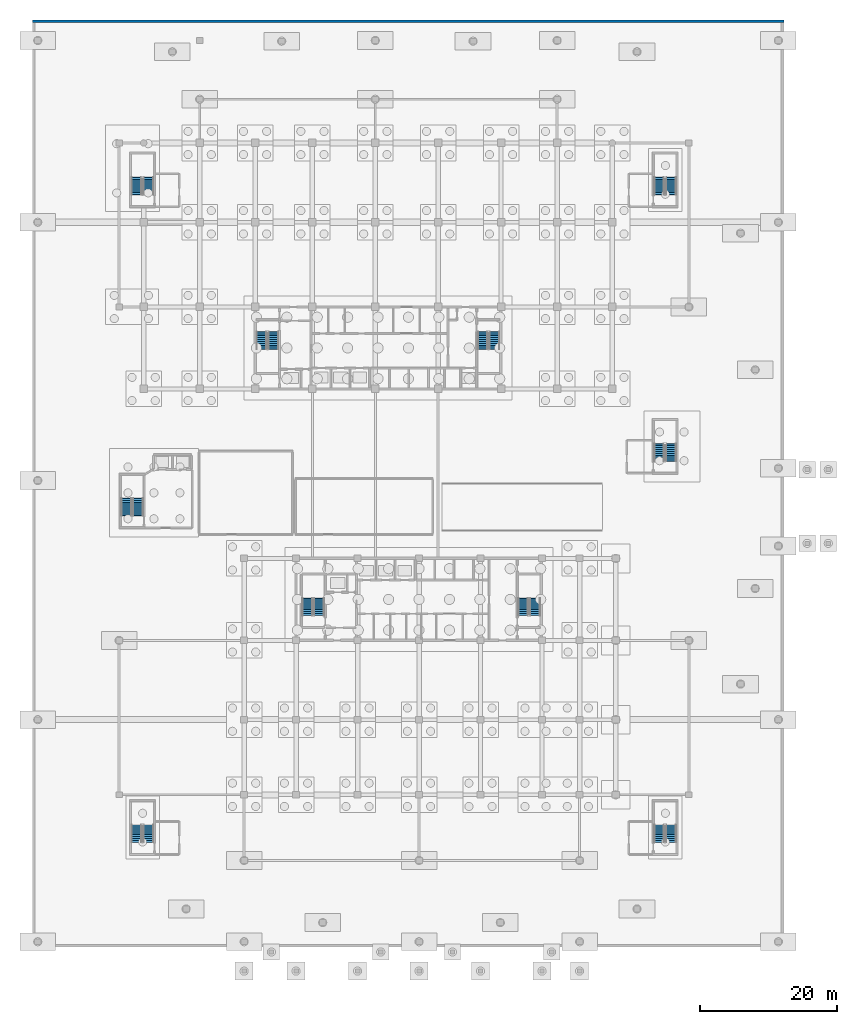
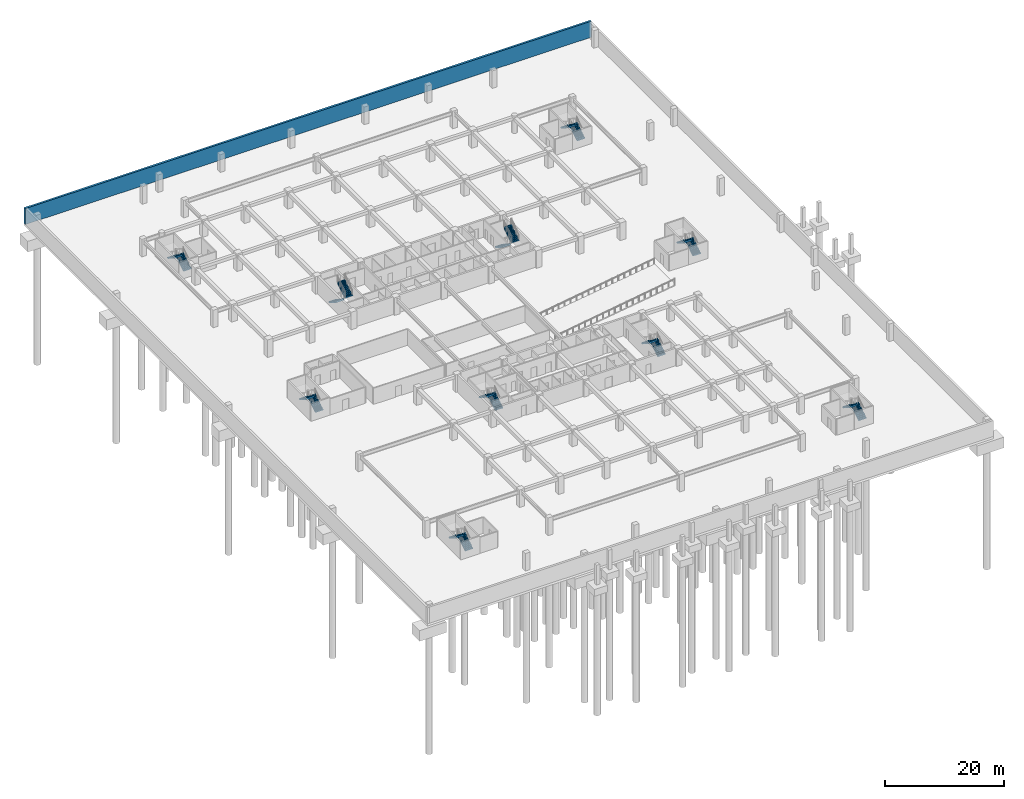
# One storey, part 18 of 26: 20 stair flights, 1 wall, 10 elements without a shape of their own.
"""IFC4 building model written with IfcOpenShell, lengths in metres."""

from ifc_helpers import new_model, si_unit, direction, frame, frame_2d, origin, place, context, subcontext, project, spatial, polyline, rectangle, outline, extrude, material, layer, layer_set, type_object, element, aggregate, save


model = new_model("IFC4")

# Units and contexts
model_context = context("Model", 3, precision=1e-05, world=origin(), true_north=direction((0.0, 1.0)))
body_context = subcontext(model_context, "Body", "Model", "MODEL_VIEW")
ifc_project = project(units=[si_unit("LENGTHUNIT", "METRE"), si_unit("AREAUNIT", "SQUARE_METRE"), si_unit("VOLUMEUNIT", "CUBIC_METRE"), si_unit("PLANEANGLEUNIT", "RADIAN"), si_unit("MASSUNIT", "GRAM", prefix="KILO")], contexts=[model_context])

# Site, building, storey
site_placement = place(None, origin())
site = spatial("IfcSite", under=ifc_project, at=site_placement, CompositionType="ELEMENT")
building_placement = place(site_placement, origin())
building = spatial("IfcBuilding", under=site, at=building_placement, Name="Korimba Cascade Residences", CompositionType="ELEMENT")
storey_placement = place(building_placement, frame((0.0, 0.0, -10.800048828125)))
storey = spatial("IfcBuildingStorey", under=building, at=storey_placement, Name="B03", CompositionType="ELEMENT", Elevation=-10.800048828125)

# Wall
ifc_material = material(Name="Concrete C50/60", Category="concrete")
ifc_layer = layer(ifc_material, 0.39990234375)
ifc_layer_set = layer_set([ifc_layer], Name="Concrete C50/60")
wall_type = type_object("IfcWallType", Name="EW-RET-400", PredefinedType="USERDEFINED", material=ifc_layer_set)
wall_placement = place(storey_placement, frame((153.5, 109.0, 0.0), z_axis=(0.0, 0.0, 1.0), x_axis=(-1.0, 0.0, 0.0)))
element("IfcWall", 1, at=wall_placement, inside=storey, type_object=wall_type, Name="B03 Basement Retaining Wall N", ObjectType="RETAININGWALL", PredefinedType="USERDEFINED", context=body_context, shape_type="SweptSolid", body=[
    extrude(rectangle(XDim=110.0, YDim=0.39990234375, at=frame_2d((55.0, 0.0))), origin(), (0.0, 0.0, 1.0), 3.300048828125),
])

# Stair, stair flights
stair_type_1 = type_object("IfcStairType", Name="STR-W1-20R-1800", PredefinedType="HALF_TURN_STAIR", material=ifc_material)
stair_1_placement = place(storey_placement, origin())
stair_1 = element("IfcStair", 2, at=stair_1_placement, inside=storey, type_object=stair_type_1, Name="B03 Tower 1 West Fire Stair ST-W1", PredefinedType="HALF_TURN_STAIR")
stair_flight_type = type_object("IfcStairFlightType", Name="STF-DL-20R-1800-1520", PredefinedType="STRAIGHT", material=ifc_material)
stair_flight_1_placement = place(storey_placement, frame((77.06005859375, 63.550048828125, 0.0), z_axis=(0.0, 0.0, 1.0), x_axis=(0.0, -1.0, 0.0)))
stair_flight_1 = element("IfcStairFlight", 3, at=stair_flight_1_placement, type_object=stair_flight_type, Name="ST-W1 flight 1", NumberOfRisers=10, NumberOfTreads=9, PredefinedType="STRAIGHT", RiserHeight=0.18, TreadLength=0.28, context=body_context, shape_type="SweptSolid", body=[
    extrude(outline(polyline([(-0.0380859375, 0.0), (0.0, 0.179931640625), (0.280029296875, 0.179931640625), (0.280029296875, 0.360107421875), (0.56005859375, 0.360107421875), (0.56005859375, 0.5400390625), (0.840087890625, 0.5400390625), (0.840087890625, 0.719970703125), (1.1201171875, 0.719970703125), (1.1201171875, 0.89990234375), (1.39990234375, 0.89990234375), (1.39990234375, 1.080078125), (1.679931640625, 1.080078125), (1.679931640625, 1.260009765625), (1.9599609375, 1.260009765625), (1.9599609375, 1.43994140625), (2.239990234375, 1.43994140625), (2.239990234375, 1.6201171875), (2.52001953125, 1.6201171875), (2.52001953125, 1.800048828125), (2.55810546875, 1.800048828125), (2.55810546875, 1.44189453125), (0.277099609375, 0.0), (0.277099609375, -0.0380859375), (-0.0380859375, -0.0380859375), (-0.0380859375, 0.0)])), frame((0.0, 0.760009765625, 0.0), z_axis=(0.0, -1.0, 0.0), x_axis=(1.0, 0.0, 0.0)), (0.0, 0.0, 1.0), 1.52001953125),
])
stair_flight_2_placement = place(storey_placement, frame((78.780029296875, 61.030029296875, 1.800048828125), z_axis=(0.0, 0.0, 1.0), x_axis=(0.0, 1.0, 0.0)))
stair_flight_2 = element("IfcStairFlight", 4, at=stair_flight_2_placement, type_object=stair_flight_type, Name="ST-W1 flight 2", NumberOfRisers=10, NumberOfTreads=9, PredefinedType="STRAIGHT", RiserHeight=0.18, TreadLength=0.28, context=body_context, shape_type="SweptSolid", body=[
    extrude(outline(polyline([(-0.0380859375, 0.0), (0.0, 0.179931640625), (0.280029296875, 0.179931640625), (0.280029296875, 0.360107421875), (0.56005859375, 0.360107421875), (0.56005859375, 0.5400390625), (0.840087890625, 0.5400390625), (0.840087890625, 0.719970703125), (1.1201171875, 0.719970703125), (1.1201171875, 0.89990234375), (1.39990234375, 0.89990234375), (1.39990234375, 1.080078125), (1.679931640625, 1.080078125), (1.679931640625, 1.260009765625), (1.9599609375, 1.260009765625), (1.9599609375, 1.43994140625), (2.239990234375, 1.43994140625), (2.239990234375, 1.6201171875), (2.52001953125, 1.6201171875), (2.52001953125, 1.800048828125), (2.55810546875, 1.800048828125), (2.55810546875, 1.44189453125), (0.277099609375, 0.0), (0.277099609375, -0.0380859375), (-0.0380859375, -0.0380859375), (-0.0380859375, 0.0)])), frame((0.0, 0.760009765625, 0.0), z_axis=(0.0, -1.0, 0.0), x_axis=(1.0, 0.0, 0.0)), (0.0, 0.0, 1.0), 1.52001953125),
])
aggregate(stair_1, [stair_flight_1, stair_flight_2])

stair_type_2 = type_object("IfcStairType", Name="STR-W2-20R-1800", PredefinedType="HALF_TURN_STAIR", material=ifc_material)
stair_2_placement = place(storey_placement, origin())
stair_2 = element("IfcStair", 5, at=stair_2_placement, inside=storey, type_object=stair_type_2, Name="B03 Tower 1 East Fire Stair ST-W2", PredefinedType="HALF_TURN_STAIR")
stair_flight_3_placement = place(storey_placement, frame((109.419921875, 63.550048828125, 0.0), z_axis=(0.0, 0.0, 1.0), x_axis=(0.0, -1.0, 0.0)))
stair_flight_3 = element("IfcStairFlight", 6, at=stair_flight_3_placement, type_object=stair_flight_type, Name="ST-W2 flight 1", NumberOfRisers=10, NumberOfTreads=9, PredefinedType="STRAIGHT", RiserHeight=0.18, TreadLength=0.28, context=body_context, shape_type="SweptSolid", body=[
    extrude(outline(polyline([(-0.0380859375, 0.0), (0.0, 0.179931640625), (0.280029296875, 0.179931640625), (0.280029296875, 0.360107421875), (0.56005859375, 0.360107421875), (0.56005859375, 0.5400390625), (0.840087890625, 0.5400390625), (0.840087890625, 0.719970703125), (1.1201171875, 0.719970703125), (1.1201171875, 0.89990234375), (1.39990234375, 0.89990234375), (1.39990234375, 1.080078125), (1.679931640625, 1.080078125), (1.679931640625, 1.260009765625), (1.9599609375, 1.260009765625), (1.9599609375, 1.43994140625), (2.239990234375, 1.43994140625), (2.239990234375, 1.6201171875), (2.52001953125, 1.6201171875), (2.52001953125, 1.800048828125), (2.55810546875, 1.800048828125), (2.55810546875, 1.44189453125), (0.277099609375, 0.0), (0.277099609375, -0.0380859375), (-0.0380859375, -0.0380859375), (-0.0380859375, 0.0)])), frame((0.0, 0.760009765625, 0.0), z_axis=(0.0, -1.0, 0.0), x_axis=(1.0, 0.0, 0.0)), (0.0, 0.0, 1.0), 1.52001953125),
])
stair_flight_4_placement = place(storey_placement, frame((111.139892578125, 61.030029296875, 1.800048828125), z_axis=(0.0, 0.0, 1.0), x_axis=(0.0, 1.0, 0.0)))
stair_flight_4 = element("IfcStairFlight", 7, at=stair_flight_4_placement, type_object=stair_flight_type, Name="ST-W2 flight 2", NumberOfRisers=10, NumberOfTreads=9, PredefinedType="STRAIGHT", RiserHeight=0.18, TreadLength=0.28, context=body_context, shape_type="SweptSolid", body=[
    extrude(outline(polyline([(-0.0380859375, 0.0), (0.0, 0.179931640625), (0.280029296875, 0.179931640625), (0.280029296875, 0.360107421875), (0.56005859375, 0.360107421875), (0.56005859375, 0.5400390625), (0.840087890625, 0.5400390625), (0.840087890625, 0.719970703125), (1.1201171875, 0.719970703125), (1.1201171875, 0.89990234375), (1.39990234375, 0.89990234375), (1.39990234375, 1.080078125), (1.679931640625, 1.080078125), (1.679931640625, 1.260009765625), (1.9599609375, 1.260009765625), (1.9599609375, 1.43994140625), (2.239990234375, 1.43994140625), (2.239990234375, 1.6201171875), (2.52001953125, 1.6201171875), (2.52001953125, 1.800048828125), (2.55810546875, 1.800048828125), (2.55810546875, 1.44189453125), (0.277099609375, 0.0), (0.277099609375, -0.0380859375), (-0.0380859375, -0.0380859375), (-0.0380859375, 0.0)])), frame((0.0, 0.760009765625, 0.0), z_axis=(0.0, -1.0, 0.0), x_axis=(1.0, 0.0, 0.0)), (0.0, 0.0, 1.0), 1.52001953125),
])
aggregate(stair_2, [stair_flight_3, stair_flight_4])

stair_type_3 = type_object("IfcStairType", Name="STR-E1-20R-1800", PredefinedType="HALF_TURN_STAIR", material=ifc_material)
stair_3_placement = place(storey_placement, origin())
stair_3 = element("IfcStair", 8, at=stair_3_placement, inside=storey, type_object=stair_type_3, Name="B03 Tower 2 West Fire Stair ST-E1", PredefinedType="HALF_TURN_STAIR")
stair_flight_5_placement = place(storey_placement, frame((85.47998046875, 22.050048828125, 0.0), z_axis=(0.0, 0.0, 1.0), x_axis=(0.0, 1.0, 0.0)))
stair_flight_5 = element("IfcStairFlight", 9, at=stair_flight_5_placement, type_object=stair_flight_type, Name="ST-E1 flight 1", NumberOfRisers=10, NumberOfTreads=9, PredefinedType="STRAIGHT", RiserHeight=0.18, TreadLength=0.28, context=body_context, shape_type="SweptSolid", body=[
    extrude(outline(polyline([(-0.0380859375, 0.0), (0.0, 0.179931640625), (0.280029296875, 0.179931640625), (0.280029296875, 0.360107421875), (0.56005859375, 0.360107421875), (0.56005859375, 0.5400390625), (0.840087890625, 0.5400390625), (0.840087890625, 0.719970703125), (1.1201171875, 0.719970703125), (1.1201171875, 0.89990234375), (1.39990234375, 0.89990234375), (1.39990234375, 1.080078125), (1.679931640625, 1.080078125), (1.679931640625, 1.260009765625), (1.9599609375, 1.260009765625), (1.9599609375, 1.43994140625), (2.239990234375, 1.43994140625), (2.239990234375, 1.6201171875), (2.52001953125, 1.6201171875), (2.52001953125, 1.800048828125), (2.55810546875, 1.800048828125), (2.55810546875, 1.44189453125), (0.277099609375, 0.0), (0.277099609375, -0.0380859375), (-0.0380859375, -0.0380859375), (-0.0380859375, 0.0)])), frame((0.0, 0.760009765625, 0.0), z_axis=(0.0, -1.0, 0.0), x_axis=(1.0, 0.0, 0.0)), (0.0, 0.0, 1.0), 1.52001953125),
])
stair_flight_6_placement = place(storey_placement, frame((83.760009765625, 24.570068359375, 1.800048828125), z_axis=(0.0, 0.0, 1.0), x_axis=(0.0, -1.0, 0.0)))
stair_flight_6 = element("IfcStairFlight", 10, at=stair_flight_6_placement, type_object=stair_flight_type, Name="ST-E1 flight 2", NumberOfRisers=10, NumberOfTreads=9, PredefinedType="STRAIGHT", RiserHeight=0.18, TreadLength=0.28, context=body_context, shape_type="SweptSolid", body=[
    extrude(outline(polyline([(-0.0380859375, 0.0), (0.0, 0.179931640625), (0.280029296875, 0.179931640625), (0.280029296875, 0.360107421875), (0.56005859375, 0.360107421875), (0.56005859375, 0.5400390625), (0.840087890625, 0.5400390625), (0.840087890625, 0.719970703125), (1.1201171875, 0.719970703125), (1.1201171875, 0.89990234375), (1.39990234375, 0.89990234375), (1.39990234375, 1.080078125), (1.679931640625, 1.080078125), (1.679931640625, 1.260009765625), (1.9599609375, 1.260009765625), (1.9599609375, 1.43994140625), (2.239990234375, 1.43994140625), (2.239990234375, 1.6201171875), (2.52001953125, 1.6201171875), (2.52001953125, 1.800048828125), (2.55810546875, 1.800048828125), (2.55810546875, 1.44189453125), (0.277099609375, 0.0), (0.277099609375, -0.0380859375), (-0.0380859375, -0.0380859375), (-0.0380859375, 0.0)])), frame((0.0, 0.760009765625, 0.0), z_axis=(0.0, -1.0, 0.0), x_axis=(1.0, 0.0, 0.0)), (0.0, 0.0, 1.0), 1.52001953125),
])
aggregate(stair_3, [stair_flight_5, stair_flight_6])

stair_type_4 = type_object("IfcStairType", Name="STR-E2-20R-1800", PredefinedType="HALF_TURN_STAIR", material=ifc_material)
stair_4_placement = place(storey_placement, origin())
stair_4 = element("IfcStair", 11, at=stair_4_placement, inside=storey, type_object=stair_type_4, Name="B03 Tower 2 East Fire Stair ST-E2", PredefinedType="HALF_TURN_STAIR")
stair_flight_7_placement = place(storey_placement, frame((117.080078125, 22.050048828125, 0.0), z_axis=(0.0, 0.0, 1.0), x_axis=(0.0, 1.0, 0.0)))
stair_flight_7 = element("IfcStairFlight", 12, at=stair_flight_7_placement, type_object=stair_flight_type, Name="ST-E2 flight 1", NumberOfRisers=10, NumberOfTreads=9, PredefinedType="STRAIGHT", RiserHeight=0.18, TreadLength=0.28, context=body_context, shape_type="SweptSolid", body=[
    extrude(outline(polyline([(-0.0380859375, 0.0), (0.0, 0.179931640625), (0.280029296875, 0.179931640625), (0.280029296875, 0.360107421875), (0.56005859375, 0.360107421875), (0.56005859375, 0.5400390625), (0.840087890625, 0.5400390625), (0.840087890625, 0.719970703125), (1.1201171875, 0.719970703125), (1.1201171875, 0.89990234375), (1.39990234375, 0.89990234375), (1.39990234375, 1.080078125), (1.679931640625, 1.080078125), (1.679931640625, 1.260009765625), (1.9599609375, 1.260009765625), (1.9599609375, 1.43994140625), (2.239990234375, 1.43994140625), (2.239990234375, 1.6201171875), (2.52001953125, 1.6201171875), (2.52001953125, 1.800048828125), (2.55810546875, 1.800048828125), (2.55810546875, 1.44189453125), (0.277099609375, 0.0), (0.277099609375, -0.0380859375), (-0.0380859375, -0.0380859375), (-0.0380859375, 0.0)])), frame((0.0, 0.760009765625, 0.0), z_axis=(0.0, -1.0, 0.0), x_axis=(1.0, 0.0, 0.0)), (0.0, 0.0, 1.0), 1.52001953125),
])
stair_flight_8_placement = place(storey_placement, frame((115.360107421875, 24.570068359375, 1.800048828125), z_axis=(0.0, 0.0, 1.0), x_axis=(0.0, -1.0, 0.0)))
stair_flight_8 = element("IfcStairFlight", 13, at=stair_flight_8_placement, type_object=stair_flight_type, Name="ST-E2 flight 2", NumberOfRisers=10, NumberOfTreads=9, PredefinedType="STRAIGHT", RiserHeight=0.18, TreadLength=0.28, context=body_context, shape_type="SweptSolid", body=[
    extrude(outline(polyline([(-0.0380859375, 0.0), (0.0, 0.179931640625), (0.280029296875, 0.179931640625), (0.280029296875, 0.360107421875), (0.56005859375, 0.360107421875), (0.56005859375, 0.5400390625), (0.840087890625, 0.5400390625), (0.840087890625, 0.719970703125), (1.1201171875, 0.719970703125), (1.1201171875, 0.89990234375), (1.39990234375, 0.89990234375), (1.39990234375, 1.080078125), (1.679931640625, 1.080078125), (1.679931640625, 1.260009765625), (1.9599609375, 1.260009765625), (1.9599609375, 1.43994140625), (2.239990234375, 1.43994140625), (2.239990234375, 1.6201171875), (2.52001953125, 1.6201171875), (2.52001953125, 1.800048828125), (2.55810546875, 1.800048828125), (2.55810546875, 1.44189453125), (0.277099609375, 0.0), (0.277099609375, -0.0380859375), (-0.0380859375, -0.0380859375), (-0.0380859375, 0.0)])), frame((0.0, 0.760009765625, 0.0), z_axis=(0.0, -1.0, 0.0), x_axis=(1.0, 0.0, 0.0)), (0.0, 0.0, 1.0), 1.52001953125),
])
aggregate(stair_4, [stair_flight_7, stair_flight_8])

stair_type_5 = type_object("IfcStairType", Name="STR-P1-20R-1800", PredefinedType="HALF_TURN_STAIR", material=ifc_material)
stair_5_placement = place(storey_placement, origin())
stair_5 = element("IfcStair", 14, at=stair_5_placement, inside=storey, type_object=stair_type_5, Name="B03 Podium West Fire Stair ST-P1", PredefinedType="HALF_TURN_STAIR")
stair_flight_9_placement = place(storey_placement, frame((58.97998046875, 36.64990234375, 0.0), z_axis=(0.0, 0.0, 1.0), x_axis=(0.0, 1.0, 0.0)))
stair_flight_9 = element("IfcStairFlight", 15, at=stair_flight_9_placement, type_object=stair_flight_type, Name="ST-P1 flight 1", NumberOfRisers=10, NumberOfTreads=9, PredefinedType="STRAIGHT", RiserHeight=0.18, TreadLength=0.28, context=body_context, shape_type="SweptSolid", body=[
    extrude(outline(polyline([(-0.0380859375, 0.0), (0.0, 0.179931640625), (0.280029296875, 0.179931640625), (0.280029296875, 0.360107421875), (0.56005859375, 0.360107421875), (0.56005859375, 0.5400390625), (0.840087890625, 0.5400390625), (0.840087890625, 0.719970703125), (1.1201171875, 0.719970703125), (1.1201171875, 0.89990234375), (1.39990234375, 0.89990234375), (1.39990234375, 1.080078125), (1.679931640625, 1.080078125), (1.679931640625, 1.260009765625), (1.9599609375, 1.260009765625), (1.9599609375, 1.43994140625), (2.239990234375, 1.43994140625), (2.239990234375, 1.6201171875), (2.52001953125, 1.6201171875), (2.52001953125, 1.800048828125), (2.55810546875, 1.800048828125), (2.55810546875, 1.44189453125), (0.277099609375, 0.0), (0.277099609375, -0.0380859375), (-0.0380859375, -0.0380859375), (-0.0380859375, 0.0)])), frame((0.0, 0.760009765625, 0.0), z_axis=(0.0, -1.0, 0.0), x_axis=(1.0, 0.0, 0.0)), (0.0, 0.0, 1.0), 1.52001953125),
])
stair_flight_10_placement = place(storey_placement, frame((57.260009765625, 39.169921875, 1.800048828125), z_axis=(0.0, 0.0, 1.0), x_axis=(0.0, -1.0, 0.0)))
stair_flight_10 = element("IfcStairFlight", 16, at=stair_flight_10_placement, type_object=stair_flight_type, Name="ST-P1 flight 2", NumberOfRisers=10, NumberOfTreads=9, PredefinedType="STRAIGHT", RiserHeight=0.18, TreadLength=0.28, context=body_context, shape_type="SweptSolid", body=[
    extrude(outline(polyline([(-0.0380859375, 0.0), (0.0, 0.179931640625), (0.280029296875, 0.179931640625), (0.280029296875, 0.360107421875), (0.56005859375, 0.360107421875), (0.56005859375, 0.5400390625), (0.840087890625, 0.5400390625), (0.840087890625, 0.719970703125), (1.1201171875, 0.719970703125), (1.1201171875, 0.89990234375), (1.39990234375, 0.89990234375), (1.39990234375, 1.080078125), (1.679931640625, 1.080078125), (1.679931640625, 1.260009765625), (1.9599609375, 1.260009765625), (1.9599609375, 1.43994140625), (2.239990234375, 1.43994140625), (2.239990234375, 1.6201171875), (2.52001953125, 1.6201171875), (2.52001953125, 1.800048828125), (2.55810546875, 1.800048828125), (2.55810546875, 1.44189453125), (0.277099609375, 0.0), (0.277099609375, -0.0380859375), (-0.0380859375, -0.0380859375), (-0.0380859375, 0.0)])), frame((0.0, 0.760009765625, 0.0), z_axis=(0.0, -1.0, 0.0), x_axis=(1.0, 0.0, 0.0)), (0.0, 0.0, 1.0), 1.52001953125),
])
aggregate(stair_5, [stair_flight_9, stair_flight_10])

stair_type_6 = type_object("IfcStairType", Name="STR-P2-20R-1800", PredefinedType="HALF_TURN_STAIR", material=ifc_material)
stair_6_placement = place(storey_placement, origin())
stair_6 = element("IfcStair", 17, at=stair_6_placement, inside=storey, type_object=stair_type_6, Name="B03 Podium East Fire Stair ST-P2", PredefinedType="HALF_TURN_STAIR")
stair_flight_11_placement = place(storey_placement, frame((136.97998046875, 44.64990234375, 0.0), z_axis=(0.0, 0.0, 1.0), x_axis=(0.0, 1.0, 0.0)))
stair_flight_11 = element("IfcStairFlight", 18, at=stair_flight_11_placement, type_object=stair_flight_type, Name="ST-P2 flight 1", NumberOfRisers=10, NumberOfTreads=9, PredefinedType="STRAIGHT", RiserHeight=0.18, TreadLength=0.28, context=body_context, shape_type="SweptSolid", body=[
    extrude(outline(polyline([(-0.0380859375, 0.0), (0.0, 0.179931640625), (0.280029296875, 0.179931640625), (0.280029296875, 0.360107421875), (0.56005859375, 0.360107421875), (0.56005859375, 0.5400390625), (0.840087890625, 0.5400390625), (0.840087890625, 0.719970703125), (1.1201171875, 0.719970703125), (1.1201171875, 0.89990234375), (1.39990234375, 0.89990234375), (1.39990234375, 1.080078125), (1.679931640625, 1.080078125), (1.679931640625, 1.260009765625), (1.9599609375, 1.260009765625), (1.9599609375, 1.43994140625), (2.239990234375, 1.43994140625), (2.239990234375, 1.6201171875), (2.52001953125, 1.6201171875), (2.52001953125, 1.800048828125), (2.55810546875, 1.800048828125), (2.55810546875, 1.44189453125), (0.277099609375, 0.0), (0.277099609375, -0.0380859375), (-0.0380859375, -0.0380859375), (-0.0380859375, 0.0)])), frame((0.0, 0.760009765625, 0.0), z_axis=(0.0, -1.0, 0.0), x_axis=(1.0, 0.0, 0.0)), (0.0, 0.0, 1.0), 1.52001953125),
])
stair_flight_12_placement = place(storey_placement, frame((135.260009765625, 47.169921875, 1.800048828125), z_axis=(0.0, 0.0, 1.0), x_axis=(0.0, -1.0, 0.0)))
stair_flight_12 = element("IfcStairFlight", 19, at=stair_flight_12_placement, type_object=stair_flight_type, Name="ST-P2 flight 2", NumberOfRisers=10, NumberOfTreads=9, PredefinedType="STRAIGHT", RiserHeight=0.18, TreadLength=0.28, context=body_context, shape_type="SweptSolid", body=[
    extrude(outline(polyline([(-0.0380859375, 0.0), (0.0, 0.179931640625), (0.280029296875, 0.179931640625), (0.280029296875, 0.360107421875), (0.56005859375, 0.360107421875), (0.56005859375, 0.5400390625), (0.840087890625, 0.5400390625), (0.840087890625, 0.719970703125), (1.1201171875, 0.719970703125), (1.1201171875, 0.89990234375), (1.39990234375, 0.89990234375), (1.39990234375, 1.080078125), (1.679931640625, 1.080078125), (1.679931640625, 1.260009765625), (1.9599609375, 1.260009765625), (1.9599609375, 1.43994140625), (2.239990234375, 1.43994140625), (2.239990234375, 1.6201171875), (2.52001953125, 1.6201171875), (2.52001953125, 1.800048828125), (2.55810546875, 1.800048828125), (2.55810546875, 1.44189453125), (0.277099609375, 0.0), (0.277099609375, -0.0380859375), (-0.0380859375, -0.0380859375), (-0.0380859375, 0.0)])), frame((0.0, 0.760009765625, 0.0), z_axis=(0.0, -1.0, 0.0), x_axis=(1.0, 0.0, 0.0)), (0.0, 0.0, 1.0), 1.52001953125),
])
aggregate(stair_6, [stair_flight_11, stair_flight_12])

stair_type_7 = type_object("IfcStairType", Name="STR-P3-20R-1800", PredefinedType="HALF_TURN_STAIR", material=ifc_material)
stair_7_placement = place(storey_placement, origin())
stair_7 = element("IfcStair", 20, at=stair_7_placement, inside=storey, type_object=stair_type_7, Name="B03 Podium South-West Corner Fire Stair ST-P3", PredefinedType="HALF_TURN_STAIR")
stair_flight_13_placement = place(storey_placement, frame((60.47998046875, -11.14990234375, 0.0), z_axis=(0.0, 0.0, 1.0), x_axis=(0.0, 1.0, 0.0)))
stair_flight_13 = element("IfcStairFlight", 21, at=stair_flight_13_placement, type_object=stair_flight_type, Name="ST-P3 flight 1", NumberOfRisers=10, NumberOfTreads=9, PredefinedType="STRAIGHT", RiserHeight=0.18, TreadLength=0.28, context=body_context, shape_type="SweptSolid", body=[
    extrude(outline(polyline([(-0.0380859375, 0.0), (0.0, 0.179931640625), (0.280029296875, 0.179931640625), (0.280029296875, 0.360107421875), (0.56005859375, 0.360107421875), (0.56005859375, 0.5400390625), (0.840087890625, 0.5400390625), (0.840087890625, 0.719970703125), (1.1201171875, 0.719970703125), (1.1201171875, 0.89990234375), (1.39990234375, 0.89990234375), (1.39990234375, 1.080078125), (1.679931640625, 1.080078125), (1.679931640625, 1.260009765625), (1.9599609375, 1.260009765625), (1.9599609375, 1.43994140625), (2.239990234375, 1.43994140625), (2.239990234375, 1.6201171875), (2.52001953125, 1.6201171875), (2.52001953125, 1.800048828125), (2.55810546875, 1.800048828125), (2.55810546875, 1.44189453125), (0.277099609375, 0.0), (0.277099609375, -0.0380859375), (-0.0380859375, -0.0380859375), (-0.0380859375, 0.0)])), frame((0.0, 0.760009765625, 0.0), z_axis=(0.0, -1.0, 0.0), x_axis=(1.0, 0.0, 0.0)), (0.0, 0.0, 1.0), 1.52001953125),
])
stair_flight_14_placement = place(storey_placement, frame((58.760009765625, -8.6298828125, 1.800048828125), z_axis=(0.0, 0.0, 1.0), x_axis=(0.0, -1.0, 0.0)))
stair_flight_14 = element("IfcStairFlight", 22, at=stair_flight_14_placement, type_object=stair_flight_type, Name="ST-P3 flight 2", NumberOfRisers=10, NumberOfTreads=9, PredefinedType="STRAIGHT", RiserHeight=0.18, TreadLength=0.28, context=body_context, shape_type="SweptSolid", body=[
    extrude(outline(polyline([(-0.0380859375, 0.0), (0.0, 0.179931640625), (0.280029296875, 0.179931640625), (0.280029296875, 0.360107421875), (0.56005859375, 0.360107421875), (0.56005859375, 0.5400390625), (0.840087890625, 0.5400390625), (0.840087890625, 0.719970703125), (1.1201171875, 0.719970703125), (1.1201171875, 0.89990234375), (1.39990234375, 0.89990234375), (1.39990234375, 1.080078125), (1.679931640625, 1.080078125), (1.679931640625, 1.260009765625), (1.9599609375, 1.260009765625), (1.9599609375, 1.43994140625), (2.239990234375, 1.43994140625), (2.239990234375, 1.6201171875), (2.52001953125, 1.6201171875), (2.52001953125, 1.800048828125), (2.55810546875, 1.800048828125), (2.55810546875, 1.44189453125), (0.277099609375, 0.0), (0.277099609375, -0.0380859375), (-0.0380859375, -0.0380859375), (-0.0380859375, 0.0)])), frame((0.0, 0.760009765625, 0.0), z_axis=(0.0, -1.0, 0.0), x_axis=(1.0, 0.0, 0.0)), (0.0, 0.0, 1.0), 1.52001953125),
])
aggregate(stair_7, [stair_flight_13, stair_flight_14])

stair_type_8 = type_object("IfcStairType", Name="STR-P4-20R-1800", PredefinedType="HALF_TURN_STAIR", material=ifc_material)
stair_8_placement = place(storey_placement, origin())
stair_8 = element("IfcStair", 23, at=stair_8_placement, inside=storey, type_object=stair_type_8, Name="B03 Podium North-East Corner Fire Stair ST-P4", PredefinedType="HALF_TURN_STAIR")
stair_flight_15_placement = place(storey_placement, frame((136.97998046875, 83.64990234375, 0.0), z_axis=(0.0, 0.0, 1.0), x_axis=(0.0, 1.0, 0.0)))
stair_flight_15 = element("IfcStairFlight", 24, at=stair_flight_15_placement, type_object=stair_flight_type, Name="ST-P4 flight 1", NumberOfRisers=10, NumberOfTreads=9, PredefinedType="STRAIGHT", RiserHeight=0.18, TreadLength=0.28, context=body_context, shape_type="SweptSolid", body=[
    extrude(outline(polyline([(-0.0380859375, 0.0), (0.0, 0.179931640625), (0.280029296875, 0.179931640625), (0.280029296875, 0.360107421875), (0.56005859375, 0.360107421875), (0.56005859375, 0.5400390625), (0.840087890625, 0.5400390625), (0.840087890625, 0.719970703125), (1.1201171875, 0.719970703125), (1.1201171875, 0.89990234375), (1.39990234375, 0.89990234375), (1.39990234375, 1.080078125), (1.679931640625, 1.080078125), (1.679931640625, 1.260009765625), (1.9599609375, 1.260009765625), (1.9599609375, 1.43994140625), (2.239990234375, 1.43994140625), (2.239990234375, 1.6201171875), (2.52001953125, 1.6201171875), (2.52001953125, 1.800048828125), (2.55810546875, 1.800048828125), (2.55810546875, 1.44189453125), (0.277099609375, 0.0), (0.277099609375, -0.0380859375), (-0.0380859375, -0.0380859375), (-0.0380859375, 0.0)])), frame((0.0, 0.760009765625, 0.0), z_axis=(0.0, -1.0, 0.0), x_axis=(1.0, 0.0, 0.0)), (0.0, 0.0, 1.0), 1.52001953125),
])
stair_flight_16_placement = place(storey_placement, frame((135.260009765625, 86.169921875, 1.800048828125), z_axis=(0.0, 0.0, 1.0), x_axis=(0.0, -1.0, 0.0)))
stair_flight_16 = element("IfcStairFlight", 25, at=stair_flight_16_placement, type_object=stair_flight_type, Name="ST-P4 flight 2", NumberOfRisers=10, NumberOfTreads=9, PredefinedType="STRAIGHT", RiserHeight=0.18, TreadLength=0.28, context=body_context, shape_type="SweptSolid", body=[
    extrude(outline(polyline([(-0.0380859375, 0.0), (0.0, 0.179931640625), (0.280029296875, 0.179931640625), (0.280029296875, 0.360107421875), (0.56005859375, 0.360107421875), (0.56005859375, 0.5400390625), (0.840087890625, 0.5400390625), (0.840087890625, 0.719970703125), (1.1201171875, 0.719970703125), (1.1201171875, 0.89990234375), (1.39990234375, 0.89990234375), (1.39990234375, 1.080078125), (1.679931640625, 1.080078125), (1.679931640625, 1.260009765625), (1.9599609375, 1.260009765625), (1.9599609375, 1.43994140625), (2.239990234375, 1.43994140625), (2.239990234375, 1.6201171875), (2.52001953125, 1.6201171875), (2.52001953125, 1.800048828125), (2.55810546875, 1.800048828125), (2.55810546875, 1.44189453125), (0.277099609375, 0.0), (0.277099609375, -0.0380859375), (-0.0380859375, -0.0380859375), (-0.0380859375, 0.0)])), frame((0.0, 0.760009765625, 0.0), z_axis=(0.0, -1.0, 0.0), x_axis=(1.0, 0.0, 0.0)), (0.0, 0.0, 1.0), 1.52001953125),
])
aggregate(stair_8, [stair_flight_15, stair_flight_16])

stair_type_9 = type_object("IfcStairType", Name="STR-P5-20R-1800", PredefinedType="HALF_TURN_STAIR", material=ifc_material)
stair_9_placement = place(storey_placement, origin())
stair_9 = element("IfcStair", 26, at=stair_9_placement, inside=storey, type_object=stair_type_9, Name="B03 Podium North-West Corner Fire Stair ST-P5", PredefinedType="HALF_TURN_STAIR")
stair_flight_17_placement = place(storey_placement, frame((60.47998046875, 83.64990234375, 0.0), z_axis=(0.0, 0.0, 1.0), x_axis=(0.0, 1.0, 0.0)))
stair_flight_17 = element("IfcStairFlight", 27, at=stair_flight_17_placement, type_object=stair_flight_type, Name="ST-P5 flight 1", NumberOfRisers=10, NumberOfTreads=9, PredefinedType="STRAIGHT", RiserHeight=0.18, TreadLength=0.28, context=body_context, shape_type="SweptSolid", body=[
    extrude(outline(polyline([(-0.0380859375, 0.0), (0.0, 0.179931640625), (0.280029296875, 0.179931640625), (0.280029296875, 0.360107421875), (0.56005859375, 0.360107421875), (0.56005859375, 0.5400390625), (0.840087890625, 0.5400390625), (0.840087890625, 0.719970703125), (1.1201171875, 0.719970703125), (1.1201171875, 0.89990234375), (1.39990234375, 0.89990234375), (1.39990234375, 1.080078125), (1.679931640625, 1.080078125), (1.679931640625, 1.260009765625), (1.9599609375, 1.260009765625), (1.9599609375, 1.43994140625), (2.239990234375, 1.43994140625), (2.239990234375, 1.6201171875), (2.52001953125, 1.6201171875), (2.52001953125, 1.800048828125), (2.55810546875, 1.800048828125), (2.55810546875, 1.44189453125), (0.277099609375, 0.0), (0.277099609375, -0.0380859375), (-0.0380859375, -0.0380859375), (-0.0380859375, 0.0)])), frame((0.0, 0.760009765625, 0.0), z_axis=(0.0, -1.0, 0.0), x_axis=(1.0, 0.0, 0.0)), (0.0, 0.0, 1.0), 1.52001953125),
])
stair_flight_18_placement = place(storey_placement, frame((58.760009765625, 86.169921875, 1.800048828125), z_axis=(0.0, 0.0, 1.0), x_axis=(0.0, -1.0, 0.0)))
stair_flight_18 = element("IfcStairFlight", 28, at=stair_flight_18_placement, type_object=stair_flight_type, Name="ST-P5 flight 2", NumberOfRisers=10, NumberOfTreads=9, PredefinedType="STRAIGHT", RiserHeight=0.18, TreadLength=0.28, context=body_context, shape_type="SweptSolid", body=[
    extrude(outline(polyline([(-0.0380859375, 0.0), (0.0, 0.179931640625), (0.280029296875, 0.179931640625), (0.280029296875, 0.360107421875), (0.56005859375, 0.360107421875), (0.56005859375, 0.5400390625), (0.840087890625, 0.5400390625), (0.840087890625, 0.719970703125), (1.1201171875, 0.719970703125), (1.1201171875, 0.89990234375), (1.39990234375, 0.89990234375), (1.39990234375, 1.080078125), (1.679931640625, 1.080078125), (1.679931640625, 1.260009765625), (1.9599609375, 1.260009765625), (1.9599609375, 1.43994140625), (2.239990234375, 1.43994140625), (2.239990234375, 1.6201171875), (2.52001953125, 1.6201171875), (2.52001953125, 1.800048828125), (2.55810546875, 1.800048828125), (2.55810546875, 1.44189453125), (0.277099609375, 0.0), (0.277099609375, -0.0380859375), (-0.0380859375, -0.0380859375), (-0.0380859375, 0.0)])), frame((0.0, 0.760009765625, 0.0), z_axis=(0.0, -1.0, 0.0), x_axis=(1.0, 0.0, 0.0)), (0.0, 0.0, 1.0), 1.52001953125),
])
aggregate(stair_9, [stair_flight_17, stair_flight_18])

stair_type_10 = type_object("IfcStairType", Name="STR-P6-20R-1800", PredefinedType="HALF_TURN_STAIR", material=ifc_material)
stair_10_placement = place(storey_placement, origin())
stair_10 = element("IfcStair", 29, at=stair_10_placement, inside=storey, type_object=stair_type_10, Name="B03 Podium South-East Corner Fire Stair ST-P6", PredefinedType="HALF_TURN_STAIR")
stair_flight_19_placement = place(storey_placement, frame((136.97998046875, -11.14990234375, 0.0), z_axis=(0.0, 0.0, 1.0), x_axis=(0.0, 1.0, 0.0)))
stair_flight_19 = element("IfcStairFlight", 30, at=stair_flight_19_placement, type_object=stair_flight_type, Name="ST-P6 flight 1", NumberOfRisers=10, NumberOfTreads=9, PredefinedType="STRAIGHT", RiserHeight=0.18, TreadLength=0.28, context=body_context, shape_type="SweptSolid", body=[
    extrude(outline(polyline([(-0.0380859375, 0.0), (0.0, 0.179931640625), (0.280029296875, 0.179931640625), (0.280029296875, 0.360107421875), (0.56005859375, 0.360107421875), (0.56005859375, 0.5400390625), (0.840087890625, 0.5400390625), (0.840087890625, 0.719970703125), (1.1201171875, 0.719970703125), (1.1201171875, 0.89990234375), (1.39990234375, 0.89990234375), (1.39990234375, 1.080078125), (1.679931640625, 1.080078125), (1.679931640625, 1.260009765625), (1.9599609375, 1.260009765625), (1.9599609375, 1.43994140625), (2.239990234375, 1.43994140625), (2.239990234375, 1.6201171875), (2.52001953125, 1.6201171875), (2.52001953125, 1.800048828125), (2.55810546875, 1.800048828125), (2.55810546875, 1.44189453125), (0.277099609375, 0.0), (0.277099609375, -0.0380859375), (-0.0380859375, -0.0380859375), (-0.0380859375, 0.0)])), frame((0.0, 0.760009765625, 0.0), z_axis=(0.0, -1.0, 0.0), x_axis=(1.0, 0.0, 0.0)), (0.0, 0.0, 1.0), 1.52001953125),
])
stair_flight_20_placement = place(storey_placement, frame((135.260009765625, -8.6298828125, 1.800048828125), z_axis=(0.0, 0.0, 1.0), x_axis=(0.0, -1.0, 0.0)))
stair_flight_20 = element("IfcStairFlight", 31, at=stair_flight_20_placement, type_object=stair_flight_type, Name="ST-P6 flight 2", NumberOfRisers=10, NumberOfTreads=9, PredefinedType="STRAIGHT", RiserHeight=0.18, TreadLength=0.28, context=body_context, shape_type="SweptSolid", body=[
    extrude(outline(polyline([(-0.0380859375, 0.0), (0.0, 0.179931640625), (0.280029296875, 0.179931640625), (0.280029296875, 0.360107421875), (0.56005859375, 0.360107421875), (0.56005859375, 0.5400390625), (0.840087890625, 0.5400390625), (0.840087890625, 0.719970703125), (1.1201171875, 0.719970703125), (1.1201171875, 0.89990234375), (1.39990234375, 0.89990234375), (1.39990234375, 1.080078125), (1.679931640625, 1.080078125), (1.679931640625, 1.260009765625), (1.9599609375, 1.260009765625), (1.9599609375, 1.43994140625), (2.239990234375, 1.43994140625), (2.239990234375, 1.6201171875), (2.52001953125, 1.6201171875), (2.52001953125, 1.800048828125), (2.55810546875, 1.800048828125), (2.55810546875, 1.44189453125), (0.277099609375, 0.0), (0.277099609375, -0.0380859375), (-0.0380859375, -0.0380859375), (-0.0380859375, 0.0)])), frame((0.0, 0.760009765625, 0.0), z_axis=(0.0, -1.0, 0.0), x_axis=(1.0, 0.0, 0.0)), (0.0, 0.0, 1.0), 1.52001953125),
])
aggregate(stair_10, [stair_flight_19, stair_flight_20])

save(model, "model.ifc")
